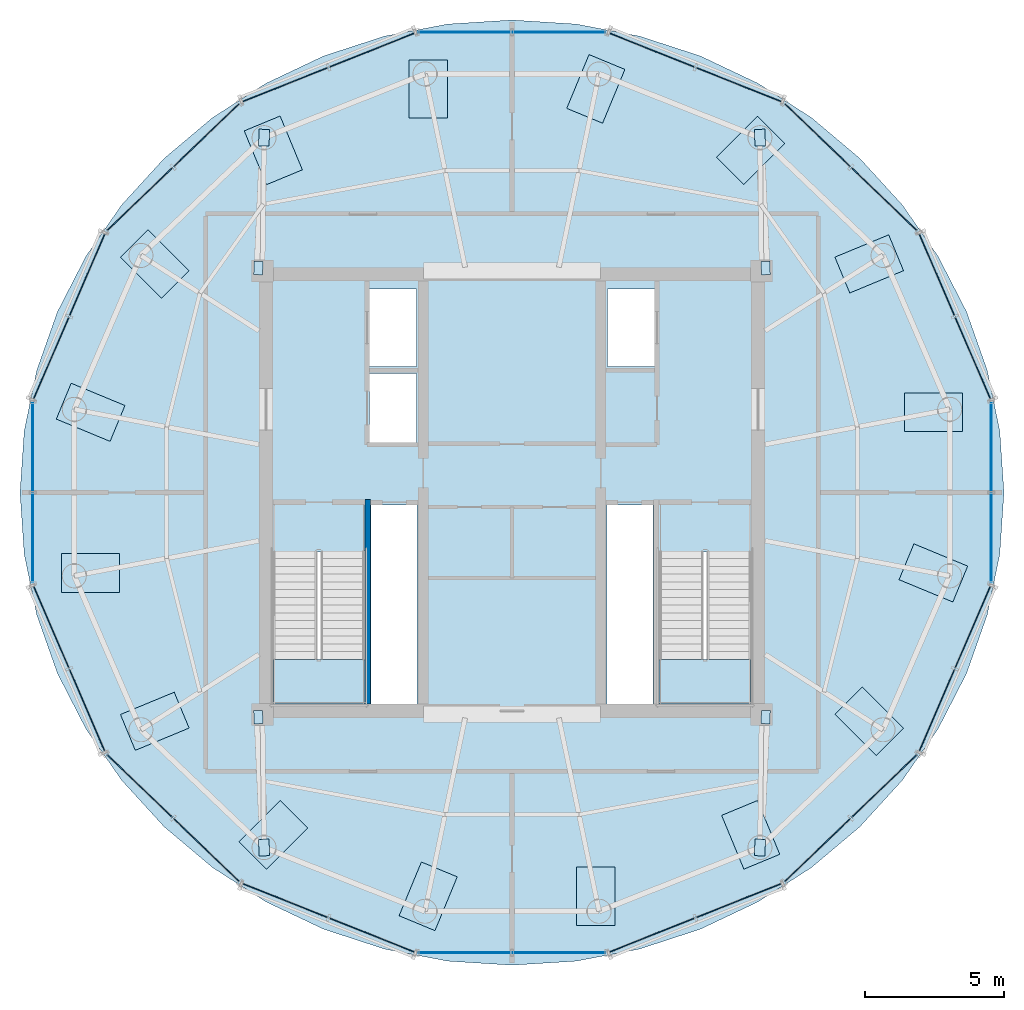
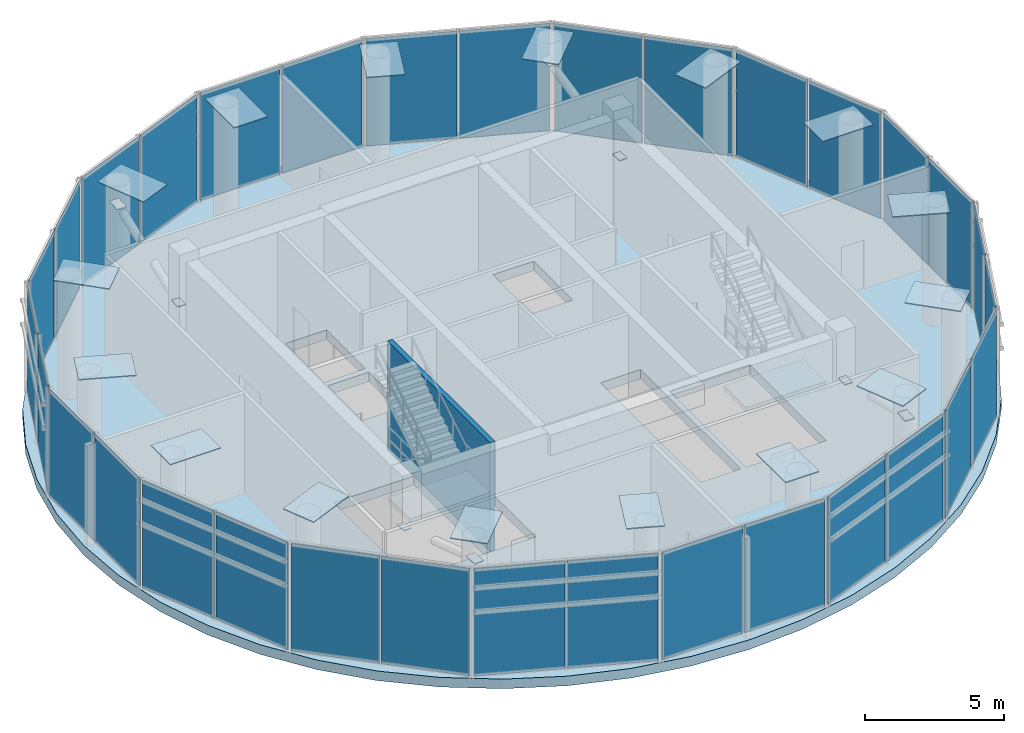
# One storey, part 11 of 15: 56 plates, 3 slabs, 1 wall, 18 elements without a shape of their own.
"""IFC4 building model written with IfcOpenShell, lengths in metres."""

from ifc_helpers import new_model, si_unit, direction, frame, frame_2d, origin, origin_2d, place, context, subcontext, project, spatial, polyline, rectangle, outline, extrude, source, transform, mapped, material, layer, layer_set, type_object, element, aggregate, save


model = new_model("IFC4")

# Units and contexts
model_context = context("Model", 3, precision=1e-05, world=origin(), true_north=direction((-0.2419218956, 0.970295726276)))
body_context = subcontext(model_context, "Body", "Model", "MODEL_VIEW")
ifc_project = project(units=[si_unit("LENGTHUNIT", "METRE"), si_unit("AREAUNIT", "SQUARE_METRE"), si_unit("VOLUMEUNIT", "CUBIC_METRE"), si_unit("PLANEANGLEUNIT", "RADIAN"), si_unit("MASSUNIT", "GRAM", prefix="KILO")], contexts=[model_context])

# Site, building, storey
site_placement = place(None, origin())
site = spatial("IfcSite", under=ifc_project, at=site_placement, CompositionType="ELEMENT")
building_placement = place(site_placement, origin())
building = spatial("IfcBuilding", under=site, at=building_placement, Name="Cobrevalo Terracotta Tower", CompositionType="ELEMENT")
storey_placement = place(building_placement, frame((0.0, 0.0, 316.5)))
storey = spatial("IfcBuildingStorey", under=building, at=storey_placement, Name="L82", CompositionType="ELEMENT", Elevation=316.5)

# Slab
ifc_material_1 = material(Name="Concrete C50", Category="concrete")
ifc_layer_1 = layer(ifc_material_1, 0.419921875)
ifc_layer_set_1 = layer_set([ifc_layer_1], Name="Concrete C50")
slab_type_1 = type_object("IfcSlabType", Name="Crown transfer mechanical deck 420 mm", PredefinedType="FLOOR", material=ifc_layer_set_1)
slab_1_placement = place(storey_placement, frame((0.0, 0.0, -0.419921875)))
element("IfcSlab", 1, at=slab_1_placement, inside=storey, type_object=slab_type_1, Name="L82 indoor elliptical floor slab", PredefinedType="FLOOR", context=body_context, shape_type="SweptSolid", body=[
    extrude(outline(polyline([(55.59814453125, 24.574462890625), (55.145263671875, 22.38720703125), (54.39892578125, 20.275146484375), (53.3720703125, 18.27490234375), (52.08203125, 16.420654296875), (50.551025390625, 14.743896484375), (48.805419921875, 13.2734375), (46.875, 12.0341796875), (44.792724609375, 11.0478515625), (42.593994140625, 10.3310546875), (40.31689453125, 9.895751953125), (38.0, 9.75), (35.68310546875, 9.895751953125), (33.406005859375, 10.3310546875), (31.207275390625, 11.0478515625), (29.125, 12.0341796875), (27.194580078125, 13.2734375), (25.44873046875, 14.743896484375), (23.91796875, 16.420654296875), (22.6279296875, 18.27490234375), (21.60107421875, 20.275146484375), (20.854736328125, 22.38720703125), (20.40185546875, 24.574462890625), (20.25, 26.800048828125), (20.40185546875, 29.025390625), (20.854736328125, 31.212890625), (21.60107421875, 33.32470703125), (22.6279296875, 35.324951171875), (23.91796875, 37.179443359375), (25.44873046875, 38.856201171875), (27.194580078125, 40.32666015625), (29.125, 41.565673828125), (31.207275390625, 42.55224609375), (33.406005859375, 43.26904296875), (35.68310546875, 43.7041015625), (38.0, 43.85009765625), (40.31689453125, 43.7041015625), (42.593994140625, 43.26904296875), (44.792724609375, 42.55224609375), (46.875, 41.565673828125), (48.805419921875, 40.32666015625), (50.551025390625, 38.856201171875), (52.08203125, 37.179443359375), (53.3720703125, 35.324951171875), (54.39892578125, 33.32470703125), (55.145263671875, 31.212890625), (55.59814453125, 29.025390625), (55.75, 26.800048828125), (55.59814453125, 24.574462890625)]), holes=[polyline([(32.695068359375, 24.659912109375), (29.375, 24.659912109375), (29.375, 19.175048828125), (32.695068359375, 19.175048828125), (32.695068359375, 24.659912109375)]), polyline([(46.625, 19.175048828125), (46.625, 24.659912109375), (43.304931640625, 24.659912109375), (43.304931640625, 19.175048828125), (46.625, 19.175048828125)]), polyline([(34.574951171875, 26.360107421875), (32.919921875, 26.360107421875), (32.919921875, 19.175048828125), (34.574951171875, 19.175048828125), (34.574951171875, 26.360107421875)]), polyline([(43.080078125, 26.360107421875), (41.425048828125, 26.360107421875), (41.425048828125, 19.175048828125), (43.080078125, 19.175048828125), (43.080078125, 26.360107421875)]), polyline([(34.550048828125, 31.10009765625), (32.85009765625, 31.10009765625), (32.85009765625, 28.60009765625), (34.550048828125, 28.60009765625), (34.550048828125, 31.10009765625)]), polyline([(34.550048828125, 34.14990234375), (32.85009765625, 34.14990234375), (32.85009765625, 31.35009765625), (34.550048828125, 31.35009765625), (34.550048828125, 34.14990234375)]), polyline([(43.14990234375, 34.14990234375), (41.449951171875, 34.14990234375), (41.449951171875, 31.35009765625), (43.14990234375, 31.35009765625), (43.14990234375, 34.14990234375)])]), origin(), (0.0, 0.0, 1.0), 0.419921875),
])

# Stair, slab
stair_type = type_object("IfcStairType", Name="Core protected escape dogleg stair 1600", PredefinedType="HALF_TURN_STAIR", material=ifc_material_1)
stair_1_placement = place(storey_placement, origin())
stair_1 = element("IfcStair", 2, at=stair_1_placement, inside=storey, type_object=stair_type, Name="L82 Protected exit stair ST-1", PredefinedType="HALF_TURN_STAIR")
ifc_layer_2 = layer(ifc_material_1, 0.199951171875)
ifc_layer_set_2 = layer_set([ifc_layer_2], Name="Concrete C50")
slab_type_2 = type_object("IfcSlabType", Name="Reinforced Concrete Stair Landing 200", PredefinedType="LANDING", material=ifc_layer_set_2)
slab_2_placement = place(storey_placement, frame((0.0, 0.0, 2.39990234375)))
slab_2 = element("IfcSlab", 3, at=slab_2_placement, type_object=slab_type_2, Name="ST-1 landing 1", PredefinedType="LANDING", context=body_context, shape_type="SweptSolid", body=[
    extrude(outline(polyline([(29.375, 20.780029296875), (29.375, 19.175048828125), (32.695068359375, 19.175048828125), (32.695068359375, 20.780029296875), (29.375, 20.780029296875)])), origin(), (0.0, 0.0, 1.0), 0.2001953125),
])
aggregate(stair_1, [slab_2])

stair_2_placement = place(storey_placement, origin())
stair_2 = element("IfcStair", 4, at=stair_2_placement, inside=storey, type_object=stair_type, Name="L82 Protected exit stair ST-2", PredefinedType="HALF_TURN_STAIR")
slab_3_placement = place(storey_placement, frame((0.0, 0.0, 2.39990234375)))
slab_3 = element("IfcSlab", 5, at=slab_3_placement, type_object=slab_type_2, Name="ST-2 landing 1", PredefinedType="LANDING", context=body_context, shape_type="SweptSolid", body=[
    extrude(outline(polyline([(43.304931640625, 20.780029296875), (43.304931640625, 19.175048828125), (46.625, 19.175048828125), (46.625, 20.780029296875), (43.304931640625, 20.780029296875)])), origin(), (0.0, 0.0, 1.0), 0.2001953125),
])
aggregate(stair_2, [slab_3])

# Plates
ifc_material_2 = material(Name="Steel S355", Category="steel")
ifc_layer_3 = layer(ifc_material_2, 0.044921875)
ifc_layer_set_3 = layer_set([ifc_layer_3], Name="Steel S355")
plate_type_1 = type_object("IfcPlateType", Name="Structural Cap Plate 2100x1400x45 (Steel S355)", PredefinedType="USERDEFINED", material=ifc_layer_set_3)
shared_shape_1 = source(origin(), body_context, "Body", "SweptSolid", [
    extrude(rectangle(XDim=2.10009765625, YDim=1.39990234375, at=origin_2d()), origin(), (0.0, 0.0, 1.0), 0.044921875),
])
for number, where, z_axis, x_axis, name in (
    (6, (53.2021484375, 29.697021484375, 5.177490234375), (0.0, 0.0, 1.0), (1.0, 0.0, 0.0), "L82 hollow end cap plate CAP-MCT-L82-01"),
    (7, (50.8876953125, 35.05029296875, 5.177490234375), (0.0, 0.0, 1.0), (0.923879532511, 0.382683432365, 0.0), "L82 hollow end cap plate CAP-MCT-L82-02"),
    (8, (46.611328125, 39.147216796875, 5.177490234375), (0.0, 0.0, 1.0), (0.707106781187, 0.707106781187, 0.0), "L82 hollow end cap plate CAP-MCT-L82-03"),
    (9, (41.02392578125, 41.36474609375, 5.177490234375), (0.0, 0.0, 1.0), (0.382683432365, 0.923879532511, 0.0), "L82 hollow end cap plate CAP-MCT-L82-04"),
    (10, (34.97607421875, 41.36474609375, 5.177490234375), (0.0, 0.0, 1.0), (0.0, 1.0, 0.0), "L82 hollow end cap plate CAP-MCT-L82-05"),
    (11, (29.388671875, 39.147216796875, 5.177490234375), (0.0, 0.0, 1.0), (-0.382683432365, 0.923879532511, 0.0), "L82 hollow end cap plate CAP-MCT-L82-06"),
    (12, (25.1123046875, 35.05029296875, 5.177490234375), (0.0, 0.0, 1.0), (-0.707106781187, 0.707106781187, 0.0), "L82 hollow end cap plate CAP-MCT-L82-07"),
    (13, (22.7978515625, 29.697021484375, 5.177490234375), (0.0, 0.0, 1.0), (-0.923879532511, 0.382683432365, 0.0), "L82 hollow end cap plate CAP-MCT-L82-08"),
    (14, (22.7978515625, 23.90283203125, 5.177490234375), (0.0, 0.0, 1.0), (-1.0, 0.0, 0.0), "L82 hollow end cap plate CAP-MCT-L82-09"),
    (15, (25.1123046875, 18.5498046875, 5.177490234375), (0.0, 0.0, 1.0), (-0.923879532511, -0.382683432365, 0.0), "L82 hollow end cap plate CAP-MCT-L82-10"),
    (16, (29.388671875, 14.45263671875, 5.177490234375), (0.0, 0.0, 1.0), (-0.707106781187, -0.707106781187, 0.0), "L82 hollow end cap plate CAP-MCT-L82-11"),
    (17, (34.97607421875, 12.2353515625, 5.177490234375), (0.0, 0.0, 1.0), (-0.382683432365, -0.923879532511, 0.0), "L82 hollow end cap plate CAP-MCT-L82-12"),
    (18, (41.02392578125, 12.2353515625, 5.177490234375), (0.0, 0.0, 1.0), (0.0, -1.0, 0.0), "L82 hollow end cap plate CAP-MCT-L82-13"),
    (19, (46.611328125, 14.45263671875, 5.177490234375), (0.0, 0.0, 1.0), (0.382683432365, -0.923879532511, 0.0), "L82 hollow end cap plate CAP-MCT-L82-14"),
    (20, (50.8876953125, 18.5498046875, 5.177490234375), (0.0, 0.0, 1.0), (0.707106781187, -0.707106781187, 0.0), "L82 hollow end cap plate CAP-MCT-L82-15"),
    (21, (53.2021484375, 23.90283203125, 5.177490234375), (0.0, 0.0, 1.0), (0.923879532511, -0.382683432365, 0.0), "L82 hollow end cap plate CAP-MCT-L82-16"),
):
    element("IfcPlate", number, at=place(storey_placement, frame(where, z_axis=z_axis, x_axis=x_axis)), inside=storey, type_object=plate_type_1, Name=name, ObjectType="CAP PLATE", PredefinedType="USERDEFINED", context=body_context, shape_type="MappedRepresentation", body=[
        mapped(shared_shape_1, transform((0.0, 0.0, 0.0), scale=1.0)),
    ])
ifc_layer_4 = layer(ifc_material_2, 0.02490234375)
ifc_layer_set_4 = layer_set([ifc_layer_4], Name="Steel S355")
plate_type_2 = type_object("IfcPlateType", Name="Structural Cap Plate 480x320x25 (Steel S355)", PredefinedType="USERDEFINED", material=ifc_layer_set_4)
shared_shape_2 = source(origin(), body_context, "Body", "SweptSolid", [
    extrude(rectangle(XDim=0.47998046875, YDim=0.320068359375, at=origin_2d()), origin(), (0.0, 0.0, 1.0), 0.02490234375),
])
for number, where, z_axis, x_axis, name in (
    (22, (47.14990234375, 34.89990234375, 2.737548828125), (0.0, 0.0, 1.0), (-0.043600207008, 0.99904905883, 0.0), "L82 hollow end cap plate CAP-CRN0-L82-01"),
    (23, (28.85009765625, 34.89990234375, 2.737548828125), (0.0, 0.0, 1.0), (0.043600207008, 0.99904905883, 0.0), "L82 hollow end cap plate CAP-CRN0-L82-02"),
    (24, (28.85009765625, 18.699951171875, 2.737548828125), (0.0, 0.0, 1.0), (0.043600207008, -0.99904905883, 0.0), "L82 hollow end cap plate CAP-CRN0-L82-03"),
    (25, (47.14990234375, 18.699951171875, 2.737548828125), (0.0, 0.0, 1.0), (-0.043600207008, -0.99904905883, 0.0), "L82 hollow end cap plate CAP-CRN0-L82-04"),
):
    element("IfcPlate", number, at=place(storey_placement, frame(where, z_axis=z_axis, x_axis=x_axis)), inside=storey, type_object=plate_type_2, Name=name, ObjectType="CAP PLATE", PredefinedType="USERDEFINED", context=body_context, shape_type="MappedRepresentation", body=[
        mapped(shared_shape_2, transform((0.0, 0.0, 0.0), scale=1.0)),
    ])
ifc_layer_5 = layer(ifc_material_2, 0.028076171875)
ifc_layer_set_5 = layer_set([ifc_layer_5], Name="Steel S355")
plate_type_3 = type_object("IfcPlateType", Name="Structural Gusset Plate 600x380x28 (Steel S355)", PredefinedType="SHEET", material=ifc_layer_set_5)
shared_shape_3 = source(origin(), body_context, "Body", "SweptSolid", [
    extrude(rectangle(XDim=0.60009765625, YDim=0.3798828125, at=origin_2d()), origin(), (0.0, 0.0, 1.0), 0.028076171875),
])
for number, where, z_axis, x_axis, name in (
    (26, (46.944580078125, 39.604736328125, 4.11572265625), (0.0, 0.0, 1.0), (-0.043600207008, 0.99904905883, 0.0), "L82 hollow end cap plate GUS-CRN1-L82-01"),
    (27, (29.055419921875, 39.604736328125, 4.11572265625), (0.0, 0.0, 1.0), (0.043600207008, 0.99904905883, 0.0), "L82 hollow end cap plate GUS-CRN1-L82-02"),
    (28, (29.055419921875, 13.995361328125, 4.11572265625), (0.0, 0.0, 1.0), (0.043600207008, -0.99904905883, 0.0), "L82 hollow end cap plate GUS-CRN1-L82-03"),
    (29, (46.944580078125, 13.995361328125, 4.11572265625), (0.0, 0.0, 1.0), (-0.043600207008, -0.99904905883, 0.0), "L82 hollow end cap plate GUS-CRN1-L82-04"),
):
    element("IfcPlate", number, at=place(storey_placement, frame(where, z_axis=z_axis, x_axis=x_axis)), inside=storey, type_object=plate_type_3, Name=name, PredefinedType="SHEET", context=body_context, shape_type="MappedRepresentation", body=[
        mapped(shared_shape_3, transform((0.0, 0.0, 0.0), scale=1.0)),
    ])

# Curtain wall, plates
ifc_material_3 = material(Name="Anodized aluminium", Category="aluminium")
curtain_wall_type = type_object("IfcCurtainWallType", Name="Faceted glass-point crown structural glazing system CW-CR", PredefinedType="NOTDEFINED", material=ifc_material_3)
curtain_wall_1_placement = place(storey_placement, origin())
curtain_wall_1 = element("IfcCurtainWall", 30, at=curtain_wall_1_placement, inside=storey, type_object=curtain_wall_type, Name="L82 curtain wall CW-CRN-L82-S01", PredefinedType="NOTDEFINED")
ifc_material_4 = material(Name="Structural laminated low-iron crown glass", Category="glass")
ifc_layer_6 = layer(ifc_material_4, 0.035888671875)
ifc_layer_set_6 = layer_set([ifc_layer_6], Name="Structural laminated low-iron crown glass")
plate_type_4 = type_object("IfcPlateType", Name="Crown faceted low-iron laminated glass panel 36 mm", PredefinedType="CURTAIN_PANEL", material=ifc_layer_set_6)
shared_shape_4 = source(origin(), body_context, "Body", "SweptSolid", [
    extrude(rectangle(XDim=3.203125, YDim=0.035888671875, at=origin_2d()), origin(), (0.0, 0.0, 1.0), 4.699951171875),
])
plate_1_placement = place(storey_placement, frame((54.625244140625, 31.64697265625, 0.0400390625), z_axis=(0.0, 0.0, 1.0), x_axis=(-0.396066411085, 0.91822186753, 0.0)))
plate_1 = element("IfcPlate", 31, at=plate_1_placement, type_object=plate_type_4, Name="CW-CRN-L82-S01 glazing panel B01", PredefinedType="CURTAIN_PANEL", context=body_context, shape_type="MappedRepresentation", body=[
    mapped(shared_shape_4, transform((0.0, 0.0, 0.0), scale=1.0)),
])
plate_2_placement = place(storey_placement, frame((53.324951171875, 34.66162109375, 0.0400390625), z_axis=(0.0, 0.0, 1.0), x_axis=(-0.396066411085, 0.91822186753, 0.0)))
plate_2 = element("IfcPlate", 32, at=plate_2_placement, type_object=plate_type_4, Name="CW-CRN-L82-S01 glazing panel B02", PredefinedType="CURTAIN_PANEL", context=body_context, shape_type="MappedRepresentation", body=[
    mapped(shared_shape_4, transform((0.0, 0.0, 0.0), scale=1.0)),
])
aggregate(curtain_wall_1, [plate_1, plate_2])

curtain_wall_2_placement = place(storey_placement, origin())
curtain_wall_2 = element("IfcCurtainWall", 33, at=curtain_wall_2_placement, inside=storey, type_object=curtain_wall_type, Name="L82 curtain wall CW-CRN-L82-S07", PredefinedType="NOTDEFINED")
plate_3_placement = place(storey_placement, frame((22.675048828125, 34.66162109375, 0.0400390625), z_axis=(0.0, 0.0, 1.0), x_axis=(-0.396066411085, -0.91822186753, 0.0)))
plate_3 = element("IfcPlate", 34, at=plate_3_placement, type_object=plate_type_4, Name="CW-CRN-L82-S07 glazing panel B01", PredefinedType="CURTAIN_PANEL", context=body_context, shape_type="MappedRepresentation", body=[
    mapped(shared_shape_4, transform((0.0, 0.0, 0.0), scale=1.0)),
])
plate_4_placement = place(storey_placement, frame((21.374755859375, 31.64697265625, 0.0400390625), z_axis=(0.0, 0.0, 1.0), x_axis=(-0.396066411085, -0.91822186753, 0.0)))
plate_4 = element("IfcPlate", 35, at=plate_4_placement, type_object=plate_type_4, Name="CW-CRN-L82-S07 glazing panel B02", PredefinedType="CURTAIN_PANEL", context=body_context, shape_type="MappedRepresentation", body=[
    mapped(shared_shape_4, transform((0.0, 0.0, 0.0), scale=1.0)),
])
aggregate(curtain_wall_2, [plate_3, plate_4])

curtain_wall_3_placement = place(storey_placement, origin())
curtain_wall_3 = element("IfcCurtainWall", 36, at=curtain_wall_3_placement, inside=storey, type_object=curtain_wall_type, Name="L82 curtain wall CW-CRN-L82-S09", PredefinedType="NOTDEFINED")
plate_5_placement = place(storey_placement, frame((21.374755859375, 21.953125, 0.0400390625), z_axis=(0.0, 0.0, 1.0), x_axis=(0.396066411085, -0.91822186753, 0.0)))
plate_5 = element("IfcPlate", 37, at=plate_5_placement, type_object=plate_type_4, Name="CW-CRN-L82-S09 glazing panel B01", PredefinedType="CURTAIN_PANEL", context=body_context, shape_type="MappedRepresentation", body=[
    mapped(shared_shape_4, transform((0.0, 0.0, 0.0), scale=1.0)),
])
plate_6_placement = place(storey_placement, frame((22.675048828125, 18.938232421875, 0.0400390625), z_axis=(0.0, 0.0, 1.0), x_axis=(0.396066411085, -0.91822186753, 0.0)))
plate_6 = element("IfcPlate", 38, at=plate_6_placement, type_object=plate_type_4, Name="CW-CRN-L82-S09 glazing panel B02", PredefinedType="CURTAIN_PANEL", context=body_context, shape_type="MappedRepresentation", body=[
    mapped(shared_shape_4, transform((0.0, 0.0, 0.0), scale=1.0)),
])
aggregate(curtain_wall_3, [plate_5, plate_6])

curtain_wall_4_placement = place(storey_placement, origin())
curtain_wall_4 = element("IfcCurtainWall", 39, at=curtain_wall_4_placement, inside=storey, type_object=curtain_wall_type, Name="L82 curtain wall CW-CRN-L82-S15", PredefinedType="NOTDEFINED")
plate_7_placement = place(storey_placement, frame((53.324951171875, 18.938232421875, 0.0400390625), z_axis=(0.0, 0.0, 1.0), x_axis=(0.396066411085, 0.91822186753, 0.0)))
plate_7 = element("IfcPlate", 40, at=plate_7_placement, type_object=plate_type_4, Name="CW-CRN-L82-S15 glazing panel B01", PredefinedType="CURTAIN_PANEL", context=body_context, shape_type="MappedRepresentation", body=[
    mapped(shared_shape_4, transform((0.0, 0.0, 0.0), scale=1.0)),
])
plate_8_placement = place(storey_placement, frame((54.625244140625, 21.953125, 0.0400390625), z_axis=(0.0, 0.0, 1.0), x_axis=(0.396066411085, 0.91822186753, 0.0)))
plate_8 = element("IfcPlate", 41, at=plate_8_placement, type_object=plate_type_4, Name="CW-CRN-L82-S15 glazing panel B02", PredefinedType="CURTAIN_PANEL", context=body_context, shape_type="MappedRepresentation", body=[
    mapped(shared_shape_4, transform((0.0, 0.0, 0.0), scale=1.0)),
])
aggregate(curtain_wall_4, [plate_7, plate_8])

curtain_wall_5_placement = place(storey_placement, origin())
curtain_wall_5 = element("IfcCurtainWall", 42, at=curtain_wall_5_placement, inside=storey, type_object=curtain_wall_type, Name="L82 curtain wall CW-CRN-L82-S02", PredefinedType="NOTDEFINED")
shared_shape_5 = source(origin(), body_context, "Body", "SweptSolid", [
    extrude(rectangle(XDim=3.251953125, YDim=0.035888671875, at=origin_2d()), origin(), (0.0, 0.0, 1.0), 4.699951171875),
])
plate_9_placement = place(storey_placement, frame((51.428466796875, 37.387451171875, 0.0400390625), z_axis=(0.0, 0.0, 1.0), x_axis=(-0.721280471839, 0.692643112248, 0.0)))
plate_9 = element("IfcPlate", 43, at=plate_9_placement, type_object=plate_type_4, Name="CW-CRN-L82-S02 glazing panel B01", PredefinedType="CURTAIN_PANEL", context=body_context, shape_type="MappedRepresentation", body=[
    mapped(shared_shape_5, transform((0.0, 0.0, 0.0), scale=1.0)),
])
plate_10_placement = place(storey_placement, frame((49.025146484375, 39.695068359375, 0.0400390625), z_axis=(0.0, 0.0, 1.0), x_axis=(-0.721280471839, 0.692643112248, 0.0)))
plate_10 = element("IfcPlate", 44, at=plate_10_placement, type_object=plate_type_4, Name="CW-CRN-L82-S02 glazing panel B02", PredefinedType="CURTAIN_PANEL", context=body_context, shape_type="MappedRepresentation", body=[
    mapped(shared_shape_5, transform((0.0, 0.0, 0.0), scale=1.0)),
])
aggregate(curtain_wall_5, [plate_9, plate_10])

curtain_wall_6_placement = place(storey_placement, origin())
curtain_wall_6 = element("IfcCurtainWall", 45, at=curtain_wall_6_placement, inside=storey, type_object=curtain_wall_type, Name="L82 curtain wall CW-CRN-L82-S06", PredefinedType="NOTDEFINED")
plate_11_placement = place(storey_placement, frame((26.974853515625, 39.695068359375, 0.0400390625), z_axis=(0.0, 0.0, 1.0), x_axis=(-0.721280471839, -0.692643112248, 0.0)))
plate_11 = element("IfcPlate", 46, at=plate_11_placement, type_object=plate_type_4, Name="CW-CRN-L82-S06 glazing panel B01", PredefinedType="CURTAIN_PANEL", context=body_context, shape_type="MappedRepresentation", body=[
    mapped(shared_shape_5, transform((0.0, 0.0, 0.0), scale=1.0)),
])
plate_12_placement = place(storey_placement, frame((24.571533203125, 37.387451171875, 0.0400390625), z_axis=(0.0, 0.0, 1.0), x_axis=(-0.721280471839, -0.692643112248, 0.0)))
plate_12 = element("IfcPlate", 47, at=plate_12_placement, type_object=plate_type_4, Name="CW-CRN-L82-S06 glazing panel B02", PredefinedType="CURTAIN_PANEL", context=body_context, shape_type="MappedRepresentation", body=[
    mapped(shared_shape_5, transform((0.0, 0.0, 0.0), scale=1.0)),
])
aggregate(curtain_wall_6, [plate_11, plate_12])

curtain_wall_7_placement = place(storey_placement, origin())
curtain_wall_7 = element("IfcCurtainWall", 48, at=curtain_wall_7_placement, inside=storey, type_object=curtain_wall_type, Name="L82 curtain wall CW-CRN-L82-S10", PredefinedType="NOTDEFINED")
plate_13_placement = place(storey_placement, frame((24.571533203125, 16.212646484375, 0.0400390625), z_axis=(0.0, 0.0, 1.0), x_axis=(0.721280471839, -0.692643112248, 0.0)))
plate_13 = element("IfcPlate", 49, at=plate_13_placement, type_object=plate_type_4, Name="CW-CRN-L82-S10 glazing panel B01", PredefinedType="CURTAIN_PANEL", context=body_context, shape_type="MappedRepresentation", body=[
    mapped(shared_shape_5, transform((0.0, 0.0, 0.0), scale=1.0)),
])
plate_14_placement = place(storey_placement, frame((26.974853515625, 13.90478515625, 0.0400390625), z_axis=(0.0, 0.0, 1.0), x_axis=(0.721280471839, -0.692643112248, 0.0)))
plate_14 = element("IfcPlate", 50, at=plate_14_placement, type_object=plate_type_4, Name="CW-CRN-L82-S10 glazing panel B02", PredefinedType="CURTAIN_PANEL", context=body_context, shape_type="MappedRepresentation", body=[
    mapped(shared_shape_5, transform((0.0, 0.0, 0.0), scale=1.0)),
])
aggregate(curtain_wall_7, [plate_13, plate_14])

curtain_wall_8_placement = place(storey_placement, origin())
curtain_wall_8 = element("IfcCurtainWall", 51, at=curtain_wall_8_placement, inside=storey, type_object=curtain_wall_type, Name="L82 curtain wall CW-CRN-L82-S14", PredefinedType="NOTDEFINED")
plate_15_placement = place(storey_placement, frame((49.025146484375, 13.90478515625, 0.0400390625), z_axis=(0.0, 0.0, 1.0), x_axis=(0.721280471839, 0.692643112248, 0.0)))
plate_15 = element("IfcPlate", 52, at=plate_15_placement, type_object=plate_type_4, Name="CW-CRN-L82-S14 glazing panel B01", PredefinedType="CURTAIN_PANEL", context=body_context, shape_type="MappedRepresentation", body=[
    mapped(shared_shape_5, transform((0.0, 0.0, 0.0), scale=1.0)),
])
plate_16_placement = place(storey_placement, frame((51.428466796875, 16.212646484375, 0.0400390625), z_axis=(0.0, 0.0, 1.0), x_axis=(0.721280471839, 0.692643112248, 0.0)))
plate_16 = element("IfcPlate", 53, at=plate_16_placement, type_object=plate_type_4, Name="CW-CRN-L82-S14 glazing panel B02", PredefinedType="CURTAIN_PANEL", context=body_context, shape_type="MappedRepresentation", body=[
    mapped(shared_shape_5, transform((0.0, 0.0, 0.0), scale=1.0)),
])
aggregate(curtain_wall_8, [plate_15, plate_16])

curtain_wall_9_placement = place(storey_placement, origin())
curtain_wall_9 = element("IfcCurtainWall", 54, at=curtain_wall_9_placement, inside=storey, type_object=curtain_wall_type, Name="L82 curtain wall CW-CRN-L82-S03", PredefinedType="NOTDEFINED")
shared_shape_6 = source(origin(), body_context, "Body", "SweptSolid", [
    extrude(rectangle(XDim=3.2998046875, YDim=0.035888671875, at=origin_2d()), origin(), (0.0, 0.0, 1.0), 4.699951171875),
])
plate_17_placement = place(storey_placement, frame((46.187255859375, 41.51611328125, 0.0400390625), z_axis=(0.0, 0.0, 1.0), x_axis=(-0.929190639756, 0.36960080491, 0.0)))
plate_17 = element("IfcPlate", 55, at=plate_17_placement, type_object=plate_type_4, Name="CW-CRN-L82-S03 glazing panel B01", PredefinedType="CURTAIN_PANEL", context=body_context, shape_type="MappedRepresentation", body=[
    mapped(shared_shape_6, transform((0.0, 0.0, 0.0), scale=1.0)),
])
plate_18_placement = place(storey_placement, frame((43.046875, 42.765380859375, 0.0400390625), z_axis=(0.0, 0.0, 1.0), x_axis=(-0.929190639756, 0.36960080491, 0.0)))
plate_18 = element("IfcPlate", 56, at=plate_18_placement, type_object=plate_type_4, Name="CW-CRN-L82-S03 glazing panel B02", PredefinedType="CURTAIN_PANEL", context=body_context, shape_type="MappedRepresentation", body=[
    mapped(shared_shape_6, transform((0.0, 0.0, 0.0), scale=1.0)),
])
aggregate(curtain_wall_9, [plate_17, plate_18])

curtain_wall_10_placement = place(storey_placement, origin())
curtain_wall_10 = element("IfcCurtainWall", 57, at=curtain_wall_10_placement, inside=storey, type_object=curtain_wall_type, Name="L82 curtain wall CW-CRN-L82-S05", PredefinedType="NOTDEFINED")
plate_19_placement = place(storey_placement, frame((32.953125, 42.765380859375, 0.0400390625), z_axis=(0.0, 0.0, 1.0), x_axis=(-0.929190639756, -0.36960080491, 0.0)))
plate_19 = element("IfcPlate", 58, at=plate_19_placement, type_object=plate_type_4, Name="CW-CRN-L82-S05 glazing panel B01", PredefinedType="CURTAIN_PANEL", context=body_context, shape_type="MappedRepresentation", body=[
    mapped(shared_shape_6, transform((0.0, 0.0, 0.0), scale=1.0)),
])
plate_20_placement = place(storey_placement, frame((29.812744140625, 41.51611328125, 0.0400390625), z_axis=(0.0, 0.0, 1.0), x_axis=(-0.929190639756, -0.36960080491, 0.0)))
plate_20 = element("IfcPlate", 59, at=plate_20_placement, type_object=plate_type_4, Name="CW-CRN-L82-S05 glazing panel B02", PredefinedType="CURTAIN_PANEL", context=body_context, shape_type="MappedRepresentation", body=[
    mapped(shared_shape_6, transform((0.0, 0.0, 0.0), scale=1.0)),
])
aggregate(curtain_wall_10, [plate_19, plate_20])

curtain_wall_11_placement = place(storey_placement, origin())
curtain_wall_11 = element("IfcCurtainWall", 60, at=curtain_wall_11_placement, inside=storey, type_object=curtain_wall_type, Name="L82 curtain wall CW-CRN-L82-S11", PredefinedType="NOTDEFINED")
plate_21_placement = place(storey_placement, frame((29.812744140625, 12.083740234375, 0.0400390625), z_axis=(0.0, 0.0, 1.0), x_axis=(0.929190639756, -0.36960080491, 0.0)))
plate_21 = element("IfcPlate", 61, at=plate_21_placement, type_object=plate_type_4, Name="CW-CRN-L82-S11 glazing panel B01", PredefinedType="CURTAIN_PANEL", context=body_context, shape_type="MappedRepresentation", body=[
    mapped(shared_shape_6, transform((0.0, 0.0, 0.0), scale=1.0)),
])
plate_22_placement = place(storey_placement, frame((32.953125, 10.834716796875, 0.0400390625), z_axis=(0.0, 0.0, 1.0), x_axis=(0.929190639756, -0.36960080491, 0.0)))
plate_22 = element("IfcPlate", 62, at=plate_22_placement, type_object=plate_type_4, Name="CW-CRN-L82-S11 glazing panel B02", PredefinedType="CURTAIN_PANEL", context=body_context, shape_type="MappedRepresentation", body=[
    mapped(shared_shape_6, transform((0.0, 0.0, 0.0), scale=1.0)),
])
aggregate(curtain_wall_11, [plate_21, plate_22])

curtain_wall_12_placement = place(storey_placement, origin())
curtain_wall_12 = element("IfcCurtainWall", 63, at=curtain_wall_12_placement, inside=storey, type_object=curtain_wall_type, Name="L82 curtain wall CW-CRN-L82-S13", PredefinedType="NOTDEFINED")
plate_23_placement = place(storey_placement, frame((43.046875, 10.834716796875, 0.0400390625), z_axis=(0.0, 0.0, 1.0), x_axis=(0.929190639756, 0.36960080491, 0.0)))
plate_23 = element("IfcPlate", 64, at=plate_23_placement, type_object=plate_type_4, Name="CW-CRN-L82-S13 glazing panel B01", PredefinedType="CURTAIN_PANEL", context=body_context, shape_type="MappedRepresentation", body=[
    mapped(shared_shape_6, transform((0.0, 0.0, 0.0), scale=1.0)),
])
plate_24_placement = place(storey_placement, frame((46.187255859375, 12.083740234375, 0.0400390625), z_axis=(0.0, 0.0, 1.0), x_axis=(0.929190639756, 0.36960080491, 0.0)))
plate_24 = element("IfcPlate", 65, at=plate_24_placement, type_object=plate_type_4, Name="CW-CRN-L82-S13 glazing panel B02", PredefinedType="CURTAIN_PANEL", context=body_context, shape_type="MappedRepresentation", body=[
    mapped(shared_shape_6, transform((0.0, 0.0, 0.0), scale=1.0)),
])
aggregate(curtain_wall_12, [plate_23, plate_24])

curtain_wall_13_placement = place(storey_placement, origin())
curtain_wall_13 = element("IfcCurtainWall", 66, at=curtain_wall_13_placement, inside=storey, type_object=curtain_wall_type, Name="L82 curtain wall CW-CRN-L82-S04", PredefinedType="NOTDEFINED")
shared_shape_7 = source(origin(), body_context, "Body", "SweptSolid", [
    extrude(rectangle(XDim=3.3193359375, YDim=0.035888671875, at=origin_2d()), origin(), (0.0, 0.0, 1.0), 4.699951171875),
])
plate_25_placement = place(storey_placement, frame((39.69970703125, 43.40478515625, 0.0400390625), z_axis=(0.0, 0.0, 1.0), x_axis=(-1.0, 0.0, 0.0)))
plate_25 = element("IfcPlate", 67, at=plate_25_placement, type_object=plate_type_4, Name="CW-CRN-L82-S04 glazing panel B01", PredefinedType="CURTAIN_PANEL", context=body_context, shape_type="MappedRepresentation", body=[
    mapped(shared_shape_7, transform((0.0, 0.0, 0.0), scale=1.0)),
])
plate_26_placement = place(storey_placement, frame((36.30029296875, 43.40478515625, 0.0400390625), z_axis=(0.0, 0.0, 1.0), x_axis=(-1.0, 0.0, 0.0)))
plate_26 = element("IfcPlate", 68, at=plate_26_placement, type_object=plate_type_4, Name="CW-CRN-L82-S04 glazing panel B02", PredefinedType="CURTAIN_PANEL", context=body_context, shape_type="MappedRepresentation", body=[
    mapped(shared_shape_7, transform((0.0, 0.0, 0.0), scale=1.0)),
])
aggregate(curtain_wall_13, [plate_25, plate_26])

curtain_wall_14_placement = place(storey_placement, origin())
curtain_wall_14 = element("IfcCurtainWall", 69, at=curtain_wall_14_placement, inside=storey, type_object=curtain_wall_type, Name="L82 curtain wall CW-CRN-L82-S12", PredefinedType="NOTDEFINED")
plate_27_placement = place(storey_placement, frame((36.30029296875, 10.1953125, 0.0400390625), z_axis=(0.0, 0.0, 1.0), x_axis=(1.0, 0.0, 0.0)))
plate_27 = element("IfcPlate", 70, at=plate_27_placement, type_object=plate_type_4, Name="CW-CRN-L82-S12 glazing panel B01", PredefinedType="CURTAIN_PANEL", context=body_context, shape_type="MappedRepresentation", body=[
    mapped(shared_shape_7, transform((0.0, 0.0, 0.0), scale=1.0)),
])
plate_28_placement = place(storey_placement, frame((39.69970703125, 10.1953125, 0.0400390625), z_axis=(0.0, 0.0, 1.0), x_axis=(1.0, 0.0, 0.0)))
plate_28 = element("IfcPlate", 71, at=plate_28_placement, type_object=plate_type_4, Name="CW-CRN-L82-S12 glazing panel B02", PredefinedType="CURTAIN_PANEL", context=body_context, shape_type="MappedRepresentation", body=[
    mapped(shared_shape_7, transform((0.0, 0.0, 0.0), scale=1.0)),
])
aggregate(curtain_wall_14, [plate_27, plate_28])

curtain_wall_15_placement = place(storey_placement, origin())
curtain_wall_15 = element("IfcCurtainWall", 72, at=curtain_wall_15_placement, inside=storey, type_object=curtain_wall_type, Name="L82 curtain wall CW-CRN-L82-S08", PredefinedType="NOTDEFINED")
shared_shape_8 = source(origin(), body_context, "Body", "SweptSolid", [
    extrude(rectangle(XDim=3.182861328125, YDim=0.035888671875, at=origin_2d()), origin(), (0.0, 0.0, 1.0), 4.699951171875),
])
plate_29_placement = place(storey_placement, frame((20.708740234375, 28.431396484375, 0.0400390625), z_axis=(0.0, 0.0, 1.0), x_axis=(0.0, -1.0, 0.0)))
plate_29 = element("IfcPlate", 73, at=plate_29_placement, type_object=plate_type_4, Name="CW-CRN-L82-S08 glazing panel B01", PredefinedType="CURTAIN_PANEL", context=body_context, shape_type="MappedRepresentation", body=[
    mapped(shared_shape_8, transform((0.0, 0.0, 0.0), scale=1.0)),
])
plate_30_placement = place(storey_placement, frame((20.708740234375, 25.16845703125, 0.0400390625), z_axis=(0.0, 0.0, 1.0), x_axis=(0.0, -1.0, 0.0)))
plate_30 = element("IfcPlate", 74, at=plate_30_placement, type_object=plate_type_4, Name="CW-CRN-L82-S08 glazing panel B02", PredefinedType="CURTAIN_PANEL", context=body_context, shape_type="MappedRepresentation", body=[
    mapped(shared_shape_8, transform((0.0, 0.0, 0.0), scale=1.0)),
])
aggregate(curtain_wall_15, [plate_29, plate_30])

curtain_wall_16_placement = place(storey_placement, origin())
curtain_wall_16 = element("IfcCurtainWall", 75, at=curtain_wall_16_placement, inside=storey, type_object=curtain_wall_type, Name="L82 curtain wall CW-CRN-L82-S16", PredefinedType="NOTDEFINED")
plate_31_placement = place(storey_placement, frame((55.291259765625, 25.16845703125, 0.0400390625), z_axis=(0.0, 0.0, 1.0), x_axis=(0.0, 1.0, 0.0)))
plate_31 = element("IfcPlate", 76, at=plate_31_placement, type_object=plate_type_4, Name="CW-CRN-L82-S16 glazing panel B01", PredefinedType="CURTAIN_PANEL", context=body_context, shape_type="MappedRepresentation", body=[
    mapped(shared_shape_8, transform((0.0, 0.0, 0.0), scale=1.0)),
])
plate_32_placement = place(storey_placement, frame((55.291259765625, 28.431396484375, 0.0400390625), z_axis=(0.0, 0.0, 1.0), x_axis=(0.0, 1.0, 0.0)))
plate_32 = element("IfcPlate", 77, at=plate_32_placement, type_object=plate_type_4, Name="CW-CRN-L82-S16 glazing panel B02", PredefinedType="CURTAIN_PANEL", context=body_context, shape_type="MappedRepresentation", body=[
    mapped(shared_shape_8, transform((0.0, 0.0, 0.0), scale=1.0)),
])
aggregate(curtain_wall_16, [plate_31, plate_32])

# Wall
ifc_layer_7 = layer(ifc_material_1, 0.199951171875)
ifc_layer_set_7 = layer_set([ifc_layer_7], Name="Concrete C50")
wall_type = type_object("IfcWallType", Name="Structural core & podium stair-shaft RC wall 200 mm Concrete C50", PredefinedType="SOLIDWALL", material=ifc_layer_set_7)
wall_placement = place(storey_placement, frame((32.794921875, 19.175048828125, 0.0), z_axis=(0.0, 0.0, 1.0), x_axis=(0.0, 1.0, 0.0)))
element("IfcWall", 78, at=wall_placement, inside=storey, type_object=wall_type, Name="L82 ST-1 east structural shaft wall", PredefinedType="SOLIDWALL", context=body_context, shape_type="SweptSolid", body=[
    extrude(rectangle(XDim=7.375, YDim=0.199951171875, at=frame_2d((3.6875, 0.0))), origin(), (0.0, 0.0, 1.0), 4.780029296875),
])

save(model, "model.ifc")
